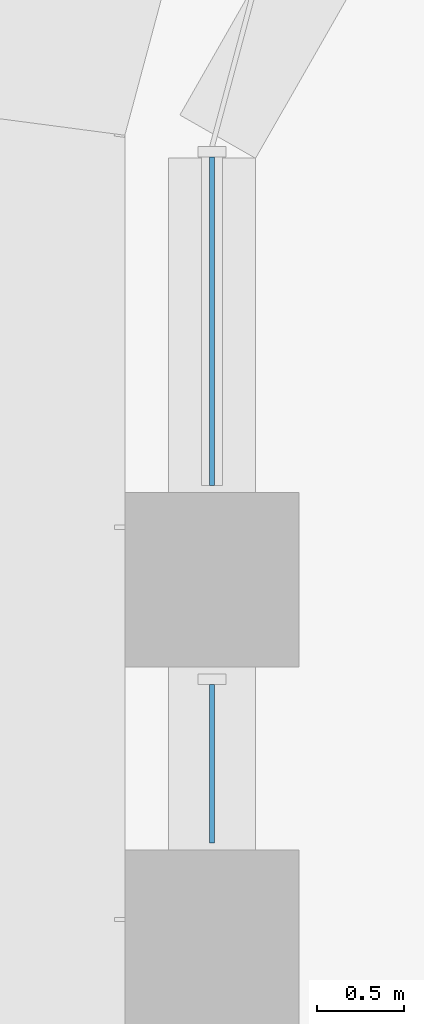
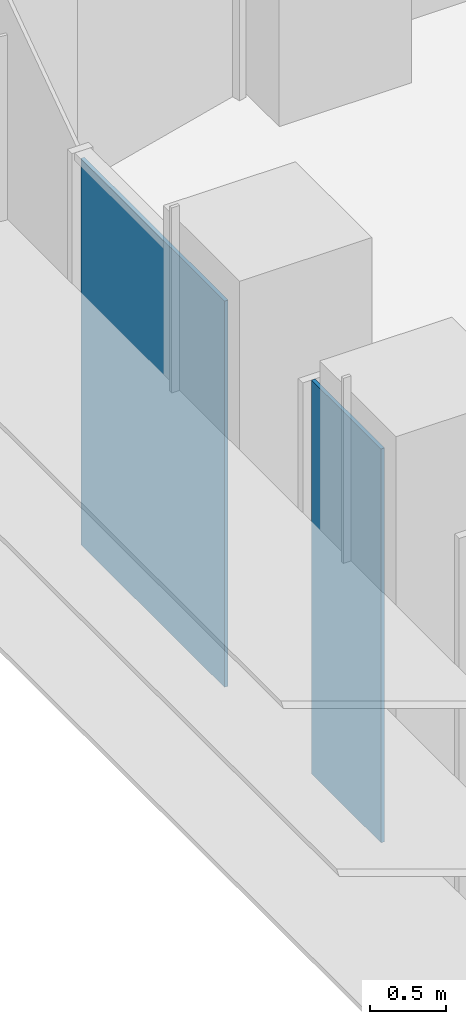
# One storey, part 14 of 23: 2 plates, 1 element without a shape of its own.
"""IFC4 building model written with IfcOpenShell, lengths in metres."""

from ifc_helpers import new_model, si_unit, direction, frame, origin, place, context, subcontext, project, spatial, polyline, outline, extrude, source, transform, mapped, material, layer, layer_set, type_object, element, aggregate, save


model = new_model("IFC4")

# Units and contexts
model_context = context("Model", 3, precision=1e-05, world=origin(), true_north=direction((0.0, 1.0)))
body_context = subcontext(model_context, "Body", "Model", "MODEL_VIEW")
ifc_project = project(units=[si_unit("LENGTHUNIT", "METRE"), si_unit("AREAUNIT", "SQUARE_METRE"), si_unit("VOLUMEUNIT", "CUBIC_METRE"), si_unit("PLANEANGLEUNIT", "RADIAN"), si_unit("MASSUNIT", "GRAM", prefix="KILO")], contexts=[model_context])

# Site, building, storey
site_placement = place(None, origin())
site = spatial("IfcSite", under=ifc_project, at=site_placement, CompositionType="ELEMENT")
building_placement = place(site_placement, origin())
building = spatial("IfcBuilding", under=site, at=building_placement, Name="Zarbagh Exchange Tower", CompositionType="ELEMENT")
storey_placement = place(building_placement, frame((0.0, 0.0, 64.800048828125)))
storey = spatial("IfcBuildingStorey", under=building, at=storey_placement, Name="L14", CompositionType="ELEMENT", Elevation=64.800048828125)

# Curtain wall, plates
ifc_material_1 = material(Name="Anodised aluminium frame and glazing", Category="aluminium")
curtain_wall_type = type_object("IfcCurtainWallType", Name="CWA Ribbon glazing, lower zones", PredefinedType="NOTDEFINED", material=ifc_material_1)
curtain_wall_placement = place(storey_placement, origin())
curtain_wall = element("IfcCurtainWall", 1, at=curtain_wall_placement, inside=storey, type_object=curtain_wall_type, Name="CWA28 curtain wall", PredefinedType="NOTDEFINED")
ifc_material_2 = material(Name="Low-e double glazed unit, 6+12+6 mm")
ifc_layer = layer(ifc_material_2, 0.028076171875)
ifc_layer_set = layer_set([ifc_layer], Name="PAA Glazing panel, Low-e double glazed unit, 6+12+6 mm")
plate_type = type_object("IfcPlateType", Name="PAA Glazing panel, Low-e double glazed unit, 6+12+6 mm", PredefinedType="CURTAIN_PANEL", material=ifc_layer_set)
shared_shape_1 = source(origin(), body_context, "Body", "SweptSolid", [
    extrude(outline(polyline([(0.0, -0.013916015625), (0.909912109375, -0.013916015625), (0.909912109375, 0.013916015625), (0.0, 0.013916015625), (0.0, -0.013916015625)])), origin(), (0.0, 0.0, 1.0), 3.14990234375),
])
placement = place(storey_placement, origin())
plate_1 = element("IfcPlate", 2, at=placement, type_object=plate_type, Name="CWA28 glazing panel 2.1", PredefinedType="CURTAIN_PANEL", context=body_context, shape_type="MappedRepresentation", body=[
    mapped(shared_shape_1, transform((-6.25, 26.099853515625, 0.0), x_axis=(0.0, -1.0, 0.0), y_axis=(1.0, 0.0, 0.0), z_axis=(0.0, 0.0, 1.0))),
])
shared_shape_2 = source(origin(), body_context, "Body", "SweptSolid", [
    extrude(outline(polyline([(0.0, -0.013916015625), (1.88427734375, -0.013916015625), (1.88427734375, 0.013916015625), (0.0, 0.013916015625), (0.0, -0.013916015625)])), origin(), (0.0, 0.0, 1.0), 3.090087890625),
])
plate_2 = element("IfcPlate", 3, at=placement, type_object=plate_type, Name="CWA28 glazing panel 1.1", PredefinedType="CURTAIN_PANEL", context=body_context, shape_type="MappedRepresentation", body=[
    mapped(shared_shape_2, transform((-6.25, 29.124267578125, 0.0), x_axis=(0.0, -1.0, 0.0), y_axis=(1.0, 0.0, 0.0), z_axis=(0.0, 0.0, 1.0))),
])
aggregate(curtain_wall, [plate_2, plate_1])

save(model, "model.ifc")
